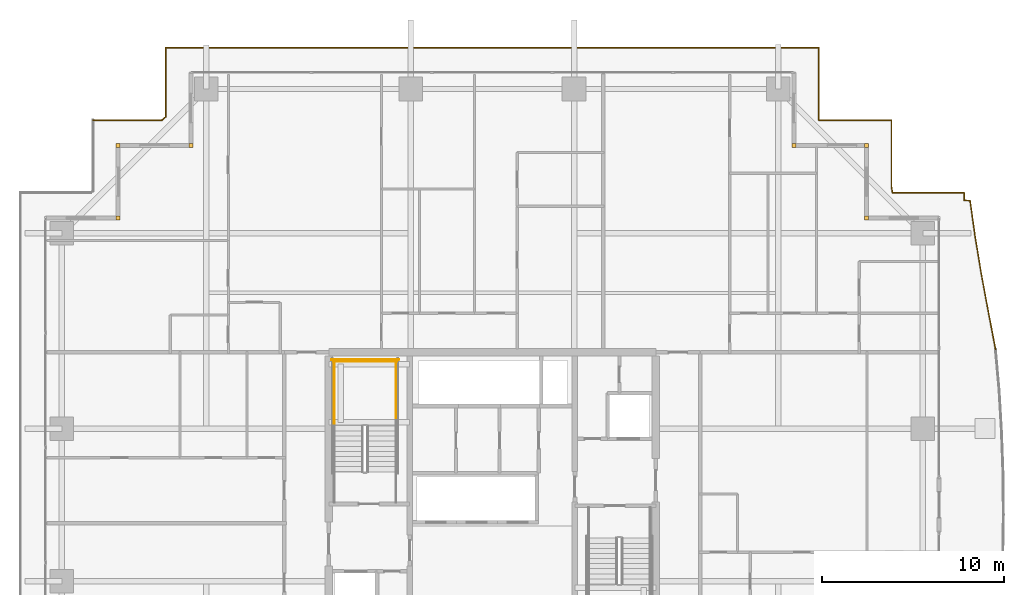
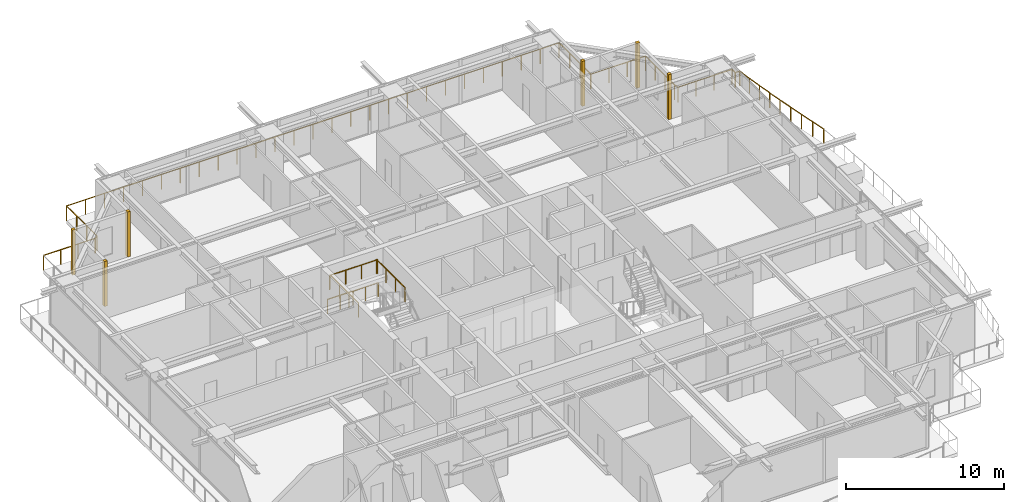
# One storey, part 38 of 38: 6 coverings, 6 railings.
"""IFC4 building model written with IfcOpenShell, lengths in metres."""

from ifc_helpers import new_model, si_unit, direction, frame, origin, origin_2d, place, context, subcontext, project, spatial, rectangle, circle, extrude, source, transform, mapped, material, layer, layer_set, type_object, element, save


model = new_model("IFC4")

# Units and contexts
model_context = context("Model", 3, precision=1e-05, world=origin(), true_north=direction((0.0, 1.0)))
body_context = subcontext(model_context, "Body", "Model", "MODEL_VIEW")
ifc_project = project(units=[si_unit("LENGTHUNIT", "METRE"), si_unit("AREAUNIT", "SQUARE_METRE"), si_unit("VOLUMEUNIT", "CUBIC_METRE"), si_unit("PLANEANGLEUNIT", "RADIAN"), si_unit("MASSUNIT", "GRAM", prefix="KILO")], contexts=[model_context])

# Site, building, storey
site_placement = place(None, origin())
site = spatial("IfcSite", under=ifc_project, at=site_placement, CompositionType="ELEMENT")
building_placement = place(site_placement, origin())
building = spatial("IfcBuilding", under=site, at=building_placement, Name="Serunith Strait Residences", CompositionType="ELEMENT")
storey_placement = place(building_placement, frame((0.0, 0.0, 176.39990234375)))
storey = spatial("IfcBuildingStorey", under=building, at=storey_placement, Name="L44", CompositionType="ELEMENT", Elevation=176.39990234375)

# Railings
ifc_material_1 = material(Name="Stainless Steel & Laminated Glass Balustrade", Category="steel")
railing_type_1 = type_object("IfcRailingType", Name="RLG-BALC-1150", PredefinedType="BALUSTRADE", material=ifc_material_1)
railing_1_placement = place(storey_placement, frame((10.419921875, 46.3798828125, -0.0498046875)))
element("IfcRailing", 1, at=railing_1_placement, inside=storey, type_object=railing_type_1, Name="L44 Swirling Balcony Perimeter Balustrade 2", PredefinedType="BALUSTRADE", context=body_context, shape_type="SweptSolid", body=[
    extrude(circle(Radius=0.02392578125, at=origin_2d()), frame((0.001953125, 0.0, 1.1259765625), z_axis=(1.0, 0.0, 0.0), x_axis=(0.0, 1.0, 0.0)), (0.0, 0.0, 1.0), 3.7744140625),
    extrude(circle(Radius=0.02392578125, at=origin_2d()), frame((3.77978515625, 0.001220703125, 1.1259765625), z_axis=(0.777683480837, 0.628656029664, 0.0), x_axis=(-0.628656029664, 0.777683480837, 0.0)), (0.0, 0.0, 1.0), 0.281005859375),
    extrude(circle(Radius=0.02392578125, at=origin_2d()), frame((4.0, 0.18115234375, 1.1259765625), z_axis=(0.0, 1.0, 0.0), x_axis=(-1.0, 0.0, 0.0)), (0.0, 0.0, 1.0), 3.81689453125),
    extrude(circle(Radius=0.02392578125, at=origin_2d()), frame((4.001953125, 4.0, 1.1259765625), z_axis=(1.0, 0.0, 0.0), x_axis=(0.0, 1.0, 0.0)), (0.0, 0.0, 1.0), 35.9560546875),
    extrude(circle(Radius=0.02392578125, at=origin_2d()), frame((39.9599609375, 3.998046875, 1.1259765625), z_axis=(0.0, -1.0, 0.0), x_axis=(1.0, 0.0, 0.0)), (0.0, 0.0, 1.0), 3.99609375),
    extrude(circle(Radius=0.02392578125, at=origin_2d()), frame((39.9619140625, 0.0, 1.1259765625), z_axis=(1.0, 0.0, 0.0), x_axis=(0.0, 1.0, 0.0)), (0.0, 0.0, 1.0), 3.99609375),
    extrude(circle(Radius=0.02392578125, at=origin_2d()), frame((43.9599609375, -0.001953125, 1.1259765625), z_axis=(0.0, -1.0, 0.0), x_axis=(1.0, 0.0, 0.0)), (0.0, 0.0, 1.0), 3.652587890625),
    extrude(circle(Radius=0.02392578125, at=origin_2d()), frame((43.960205078125, -3.658447265625, 1.1259765625), z_axis=(0.146242880384, -0.989248714903, 0.0), x_axis=(0.989248714903, 0.146242880384, 0.0)), (0.0, 0.0, 1.0), 0.34326171875),
    extrude(circle(Radius=0.02099609375, at=origin_2d()), origin(), (0.0, 0.0, 1.0), 1.099853515625),
    extrude(circle(Radius=0.02099609375, at=origin_2d()), frame((1.259521484375, 0.0, 0.0)), (0.0, 0.0, 1.0), 1.099853515625),
    extrude(circle(Radius=0.02099609375, at=origin_2d()), frame((2.518798828125, 0.0, 0.0)), (0.0, 0.0, 1.0), 1.099853515625),
    extrude(circle(Radius=0.02099609375, at=origin_2d()), frame((3.7783203125, 0.0, 0.0)), (0.0, 0.0, 1.0), 1.099853515625),
    extrude(circle(Radius=0.02099609375, at=origin_2d()), frame((4.0, 0.17919921875, 0.0)), (0.0, 0.0, 1.0), 1.099853515625),
    extrude(circle(Radius=0.02099609375, at=origin_2d()), frame((4.0, 1.452880859375, 0.0)), (0.0, 0.0, 1.0), 1.099853515625),
    extrude(circle(Radius=0.02099609375, at=origin_2d()), frame((4.0, 2.726318359375, 0.0)), (0.0, 0.0, 1.0), 1.099853515625),
    extrude(circle(Radius=0.02099609375, at=origin_2d()), frame((4.0, 4.0, 0.0)), (0.0, 0.0, 1.0), 1.099853515625),
    extrude(circle(Radius=0.02099609375, at=origin_2d()), frame((5.383056640625, 4.0, 0.0)), (0.0, 0.0, 1.0), 1.099853515625),
    extrude(circle(Radius=0.02099609375, at=origin_2d()), frame((6.76611328125, 4.0, 0.0)), (0.0, 0.0, 1.0), 1.099853515625),
    extrude(circle(Radius=0.02099609375, at=origin_2d()), frame((8.149169921875, 4.0, 0.0)), (0.0, 0.0, 1.0), 1.099853515625),
    extrude(circle(Radius=0.02099609375, at=origin_2d()), frame((9.5322265625, 4.0, 0.0)), (0.0, 0.0, 1.0), 1.099853515625),
    extrude(circle(Radius=0.02099609375, at=origin_2d()), frame((10.915283203125, 4.0, 0.0)), (0.0, 0.0, 1.0), 1.099853515625),
    extrude(circle(Radius=0.02099609375, at=origin_2d()), frame((12.29833984375, 4.0, 0.0)), (0.0, 0.0, 1.0), 1.099853515625),
    extrude(circle(Radius=0.02099609375, at=origin_2d()), frame((13.681640625, 4.0, 0.0)), (0.0, 0.0, 1.0), 1.099853515625),
    extrude(circle(Radius=0.02099609375, at=origin_2d()), frame((15.064697265625, 4.0, 0.0)), (0.0, 0.0, 1.0), 1.099853515625),
    extrude(circle(Radius=0.02099609375, at=origin_2d()), frame((16.44775390625, 4.0, 0.0)), (0.0, 0.0, 1.0), 1.099853515625),
    extrude(circle(Radius=0.02099609375, at=origin_2d()), frame((17.830810546875, 4.0, 0.0)), (0.0, 0.0, 1.0), 1.099853515625),
    extrude(circle(Radius=0.02099609375, at=origin_2d()), frame((19.2138671875, 4.0, 0.0)), (0.0, 0.0, 1.0), 1.099853515625),
    extrude(circle(Radius=0.02099609375, at=origin_2d()), frame((20.596923828125, 4.0, 0.0)), (0.0, 0.0, 1.0), 1.099853515625),
    extrude(circle(Radius=0.02099609375, at=origin_2d()), frame((21.97998046875, 4.0, 0.0)), (0.0, 0.0, 1.0), 1.099853515625),
    extrude(circle(Radius=0.02099609375, at=origin_2d()), frame((23.363037109375, 4.0, 0.0)), (0.0, 0.0, 1.0), 1.099853515625),
    extrude(circle(Radius=0.02099609375, at=origin_2d()), frame((24.74609375, 4.0, 0.0)), (0.0, 0.0, 1.0), 1.099853515625),
    extrude(circle(Radius=0.02099609375, at=origin_2d()), frame((26.129150390625, 4.0, 0.0)), (0.0, 0.0, 1.0), 1.099853515625),
    extrude(circle(Radius=0.02099609375, at=origin_2d()), frame((27.51220703125, 4.0, 0.0)), (0.0, 0.0, 1.0), 1.099853515625),
    extrude(circle(Radius=0.02099609375, at=origin_2d()), frame((28.895263671875, 4.0, 0.0)), (0.0, 0.0, 1.0), 1.099853515625),
    extrude(circle(Radius=0.02099609375, at=origin_2d()), frame((30.2783203125, 4.0, 0.0)), (0.0, 0.0, 1.0), 1.099853515625),
    extrude(circle(Radius=0.02099609375, at=origin_2d()), frame((31.66162109375, 4.0, 0.0)), (0.0, 0.0, 1.0), 1.099853515625),
    extrude(circle(Radius=0.02099609375, at=origin_2d()), frame((33.044677734375, 4.0, 0.0)), (0.0, 0.0, 1.0), 1.099853515625),
    extrude(circle(Radius=0.02099609375, at=origin_2d()), frame((34.427734375, 4.0, 0.0)), (0.0, 0.0, 1.0), 1.099853515625),
    extrude(circle(Radius=0.02099609375, at=origin_2d()), frame((35.810791015625, 4.0, 0.0)), (0.0, 0.0, 1.0), 1.099853515625),
    extrude(circle(Radius=0.02099609375, at=origin_2d()), frame((37.19384765625, 4.0, 0.0)), (0.0, 0.0, 1.0), 1.099853515625),
    extrude(circle(Radius=0.02099609375, at=origin_2d()), frame((38.576904296875, 4.0, 0.0)), (0.0, 0.0, 1.0), 1.099853515625),
    extrude(circle(Radius=0.02099609375, at=origin_2d()), frame((39.9599609375, 4.0, 0.0)), (0.0, 0.0, 1.0), 1.099853515625),
    extrude(circle(Radius=0.02099609375, at=origin_2d()), frame((39.9599609375, 2.666748046875, 0.0)), (0.0, 0.0, 1.0), 1.099853515625),
    extrude(circle(Radius=0.02099609375, at=origin_2d()), frame((39.9599609375, 1.333251953125, 0.0)), (0.0, 0.0, 1.0), 1.099853515625),
    extrude(circle(Radius=0.02099609375, at=origin_2d()), frame((39.9599609375, 0.0, 0.0)), (0.0, 0.0, 1.0), 1.099853515625),
    extrude(circle(Radius=0.02099609375, at=origin_2d()), frame((41.293212890625, 0.0, 0.0)), (0.0, 0.0, 1.0), 1.099853515625),
    extrude(circle(Radius=0.02099609375, at=origin_2d()), frame((42.626708984375, 0.0, 0.0)), (0.0, 0.0, 1.0), 1.099853515625),
    extrude(circle(Radius=0.02099609375, at=origin_2d()), frame((43.9599609375, 0.0, 0.0)), (0.0, 0.0, 1.0), 1.099853515625),
    extrude(circle(Radius=0.02099609375, at=origin_2d()), frame((43.9599609375, -1.21875, 0.0)), (0.0, 0.0, 1.0), 1.099853515625),
    extrude(circle(Radius=0.02099609375, at=origin_2d()), frame((43.9599609375, -2.437744140625, 0.0)), (0.0, 0.0, 1.0), 1.099853515625),
    extrude(circle(Radius=0.02099609375, at=origin_2d()), frame((43.9599609375, -3.656494140625, 0.0)), (0.0, 0.0, 1.0), 1.099853515625),
    extrude(circle(Radius=0.02099609375, at=origin_2d()), frame((44.0107421875, -4.0, 0.0)), (0.0, 0.0, 1.0), 1.099853515625),
])
railing_2_placement = place(storey_placement, frame((54.4306640625, 42.3798828125, -0.0498046875)))
element("IfcRailing", 2, at=railing_2_placement, inside=storey, type_object=railing_type_1, Name="L44 Swirling Balcony Perimeter Balustrade 3", PredefinedType="BALUSTRADE", context=body_context, shape_type="SweptSolid", body=[
    extrude(circle(Radius=0.02392578125, at=origin_2d()), frame((0.001953125, 0.0, 1.1259765625), z_axis=(1.0, 0.0, 0.0), x_axis=(0.0, 1.0, 0.0)), (0.0, 0.0, 1.0), 3.9453125),
    extrude(circle(Radius=0.02392578125, at=origin_2d()), frame((3.94921875, -0.001953125, 1.1259765625), z_axis=(0.0, -1.0, 0.0), x_axis=(1.0, 0.0, 0.0)), (0.0, 0.0, 1.0), 0.403564453125),
    extrude(circle(Radius=0.02392578125, at=origin_2d()), frame((3.951171875, -0.407470703125, 1.1259765625), z_axis=(0.998350642478, -0.057410753899, 0.0), x_axis=(0.057410753899, 0.998350642478, 0.0)), (0.0, 0.0, 1.0), 0.323486328125),
    extrude(circle(Radius=0.02392578125, at=origin_2d()), frame((4.2763671875, -0.42822265625, 1.1259765625), z_axis=(0.138697611943, -0.990334777962, 0.0), x_axis=(0.990334777962, 0.138697611943, 0.0)), (0.0, 0.0, 1.0), 2.016845703125),
    extrude(circle(Radius=0.02392578125, at=origin_2d()), frame((4.556640625, -2.429443359375, 1.1259765625), z_axis=(0.163761148395, -0.986500018386, 0.0), x_axis=(0.986500018386, 0.163761148395, 0.0)), (0.0, 0.0, 1.0), 2.04443359375),
    extrude(circle(Radius=0.02392578125, at=origin_2d()), frame((4.89208984375, -4.4501953125, 1.1259765625), z_axis=(0.182323172866, -0.983238659043, 0.0), x_axis=(0.983238659043, 0.182323172866, 0.0)), (0.0, 0.0, 1.0), 2.0888671875),
    extrude(circle(Radius=0.02392578125, at=origin_2d()), frame((5.27392578125, -6.508056640625, 1.1259765625), z_axis=(0.188014050728, -0.982166338625, 0.0), x_axis=(0.982166338625, 0.188014050728, 0.0)), (0.0, 0.0, 1.0), 2.147705078125),
    extrude(circle(Radius=0.02099609375, at=origin_2d()), origin(), (0.0, 0.0, 1.0), 1.099853515625),
    extrude(circle(Radius=0.02099609375, at=origin_2d()), frame((1.31640625, 0.0, 0.0)), (0.0, 0.0, 1.0), 1.099853515625),
    extrude(circle(Radius=0.02099609375, at=origin_2d()), frame((2.6328125, 0.0, 0.0)), (0.0, 0.0, 1.0), 1.099853515625),
    extrude(circle(Radius=0.02099609375, at=origin_2d()), frame((3.94921875, 0.0, 0.0)), (0.0, 0.0, 1.0), 1.099853515625),
    extrude(circle(Radius=0.02099609375, at=origin_2d()), frame((3.94921875, -0.407470703125, 0.0)), (0.0, 0.0, 1.0), 1.099853515625),
    extrude(circle(Radius=0.02099609375, at=origin_2d()), frame((4.276123046875, -0.42626953125, 0.0)), (0.0, 0.0, 1.0), 1.099853515625),
    extrude(circle(Radius=0.02099609375, at=origin_2d()), frame((4.416259765625, -1.4267578125, 0.0)), (0.0, 0.0, 1.0), 1.099853515625),
    extrude(circle(Radius=0.02099609375, at=origin_2d()), frame((4.556396484375, -2.427490234375, 0.0)), (0.0, 0.0, 1.0), 1.099853515625),
    extrude(circle(Radius=0.02099609375, at=origin_2d()), frame((4.72412109375, -3.43798828125, 0.0)), (0.0, 0.0, 1.0), 1.099853515625),
    extrude(circle(Radius=0.02099609375, at=origin_2d()), frame((4.891845703125, -4.4482421875, 0.0)), (0.0, 0.0, 1.0), 1.099853515625),
    extrude(circle(Radius=0.02099609375, at=origin_2d()), frame((5.08251953125, -5.47705078125, 0.0)), (0.0, 0.0, 1.0), 1.099853515625),
    extrude(circle(Radius=0.02099609375, at=origin_2d()), frame((5.2734375, -6.506103515625, 0.0)), (0.0, 0.0, 1.0), 1.099853515625),
    extrude(circle(Radius=0.02099609375, at=origin_2d()), frame((5.4755859375, -7.562744140625, 0.0)), (0.0, 0.0, 1.0), 1.099853515625),
    extrude(circle(Radius=0.02099609375, at=origin_2d()), frame((5.677978515625, -8.619384765625, 0.0)), (0.0, 0.0, 1.0), 1.099853515625),
])
ifc_material_2 = material(Name="Brushed stainless steel 316L", Category="steel")
railing_type_2 = type_object("IfcRailingType", Name="RLG-STAIR-GUARD", PredefinedType="BALUSTRADE", material=ifc_material_2)
for number, where, name in (
    (3, (27.10009765625, 29.550048828125, 1.875), "L44 ST-1 stair guard 3"),
    (4, (23.699951171875, 29.550048828125, 1.875), "L44 ST-1 stair guard 4"),
):
    element("IfcRailing", number, at=place(storey_placement, frame(where)), inside=storey, type_object=railing_type_2, Name=name, PredefinedType="BALUSTRADE", context=body_context, shape_type="SweptSolid", body=[
        extrude(circle(Radius=0.02392578125, at=origin_2d()), frame((0.0, 0.001953125, 1.076171875), z_axis=(0.0, 1.0, 0.0), x_axis=(-1.0, 0.0, 0.0)), (0.0, 0.0, 1.0), 3.595947265625),
        extrude(circle(Radius=0.02099609375, at=origin_2d()), origin(), (0.0, 0.0, 1.0), 1.050048828125),
        extrude(circle(Radius=0.02099609375, at=origin_2d()), frame((0.0, 1.199951171875, 0.0)), (0.0, 0.0, 1.0), 1.050048828125),
        extrude(circle(Radius=0.02099609375, at=origin_2d()), frame((0.0, 2.39990234375, 0.0)), (0.0, 0.0, 1.0), 1.050048828125),
        extrude(circle(Radius=0.02099609375, at=origin_2d()), frame((0.0, 3.599853515625, 0.0)), (0.0, 0.0, 1.0), 1.050048828125),
    ])
railing_3_placement = place(storey_placement, frame((27.14990234375, 33.10009765625, 1.875)))
element("IfcRailing", 5, at=railing_3_placement, inside=storey, type_object=railing_type_2, Name="L44 ST-1 stair guard 5", PredefinedType="BALUSTRADE", context=body_context, shape_type="SweptSolid", body=[
    extrude(circle(Radius=0.02392578125, at=origin_2d()), frame((-0.001953125, 0.0, 1.076171875), z_axis=(-1.0, 0.0, 0.0), x_axis=(0.0, -1.0, 0.0)), (0.0, 0.0, 1.0), 3.49609375),
    extrude(circle(Radius=0.02099609375, at=origin_2d()), origin(), (0.0, 0.0, 1.0), 1.050048828125),
    extrude(circle(Radius=0.02099609375, at=origin_2d()), frame((-1.166748046875, 0.0, 0.0)), (0.0, 0.0, 1.0), 1.050048828125),
    extrude(circle(Radius=0.02099609375, at=origin_2d()), frame((-2.333251953125, 0.0, 0.0)), (0.0, 0.0, 1.0), 1.050048828125),
    extrude(circle(Radius=0.02099609375, at=origin_2d()), frame((-3.5, 0.0, 0.0)), (0.0, 0.0, 1.0), 1.050048828125),
])
railing_4_placement = place(storey_placement, frame((27.25, 33.199951171875, 0.0)))
element("IfcRailing", 6, at=railing_4_placement, inside=storey, type_object=railing_type_2, Name="L44 ST-1 stair guard 12", PredefinedType="BALUSTRADE", context=body_context, shape_type="SweptSolid", body=[
    extrude(circle(Radius=0.02392578125, at=origin_2d()), frame((-0.001953125, 0.0, 1.076171875), z_axis=(-1.0, 0.0, 0.0), x_axis=(0.0, -1.0, 0.0)), (0.0, 0.0, 1.0), 3.696044921875),
    extrude(circle(Radius=0.02099609375, at=origin_2d()), origin(), (0.0, 0.0, 1.0), 1.050048828125),
    extrude(circle(Radius=0.02099609375, at=origin_2d()), frame((-0.925048828125, 0.0, 0.0)), (0.0, 0.0, 1.0), 1.050048828125),
    extrude(circle(Radius=0.02099609375, at=origin_2d()), frame((-1.85009765625, 0.0, 0.0)), (0.0, 0.0, 1.0), 1.050048828125),
    extrude(circle(Radius=0.02099609375, at=origin_2d()), frame((-2.77490234375, 0.0, 0.0)), (0.0, 0.0, 1.0), 1.050048828125),
    extrude(circle(Radius=0.02099609375, at=origin_2d()), frame((-3.699951171875, 0.0, 0.0)), (0.0, 0.0, 1.0), 1.050048828125),
])

# Coverings
ifc_material_3 = material(Name="Pale-Champagne Anodised Aluminium", Category="aluminium")
ifc_layer = layer(ifc_material_3, 0.219970703125, Name="Pale-Champagne Anodised Aluminium")
ifc_layer_set = layer_set([ifc_layer], Name="Pale-Champagne Anodised Aluminium")
covering_type = type_object("IfcCoveringType", Name="COV-CORN-TRIM", PredefinedType="CLADDING", material=ifc_layer_set)
shared_shape = source(origin(), body_context, "Body", "SweptSolid", [
    extrude(rectangle(XDim=0.221923828125, YDim=0.221923828125, at=origin_2d()), origin(), (0.0, 0.0, 1.0), 3.47509765625),
])
for number, where, z_axis, x_axis, name in (
    (7, (53.0, 41.0, 0.0), (0.0, 0.0, 1.0), (1.0, 0.0, 0.0), "L44 Girih Serrated Corner Trim Post 07"),
    (8, (53.0, 45.0, 0.0), (0.0, 0.0, 1.0), (1.0, 0.0, 0.0), "L44 Girih Serrated Corner Trim Post 08"),
    (9, (49.0, 45.0, 0.0), (0.0, 0.0, 1.0), (1.0, 0.0, 0.0), "L44 Girih Serrated Corner Trim Post 09"),
    (10, (15.800048828125, 45.0, 0.0), (0.0, 0.0, 1.0), (1.0, 0.0, 0.0), "L44 Girih Serrated Corner Trim Post 12"),
    (11, (11.800048828125, 45.0, 0.0), (0.0, 0.0, 1.0), (1.0, 0.0, 0.0), "L44 Girih Serrated Corner Trim Post 13"),
    (12, (11.800048828125, 41.0, 0.0), (0.0, 0.0, 1.0), (1.0, 0.0, 0.0), "L44 Girih Serrated Corner Trim Post 14"),
):
    element("IfcCovering", number, at=place(storey_placement, frame(where, z_axis=z_axis, x_axis=x_axis)), inside=storey, type_object=covering_type, Name=name, PredefinedType="CLADDING", context=body_context, shape_type="MappedRepresentation", body=[
        mapped(shared_shape, transform((0.0, 0.0, 0.0), scale=1.0)),
    ])

save(model, "model.ifc")
